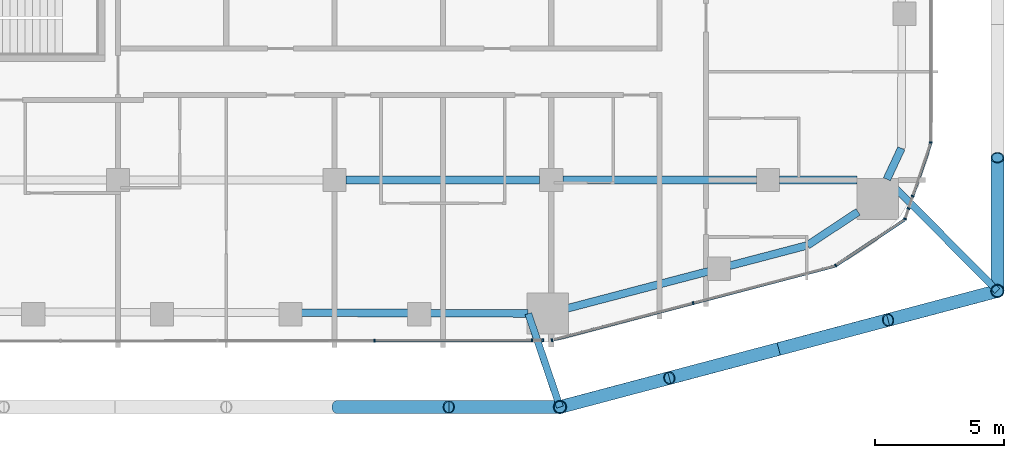
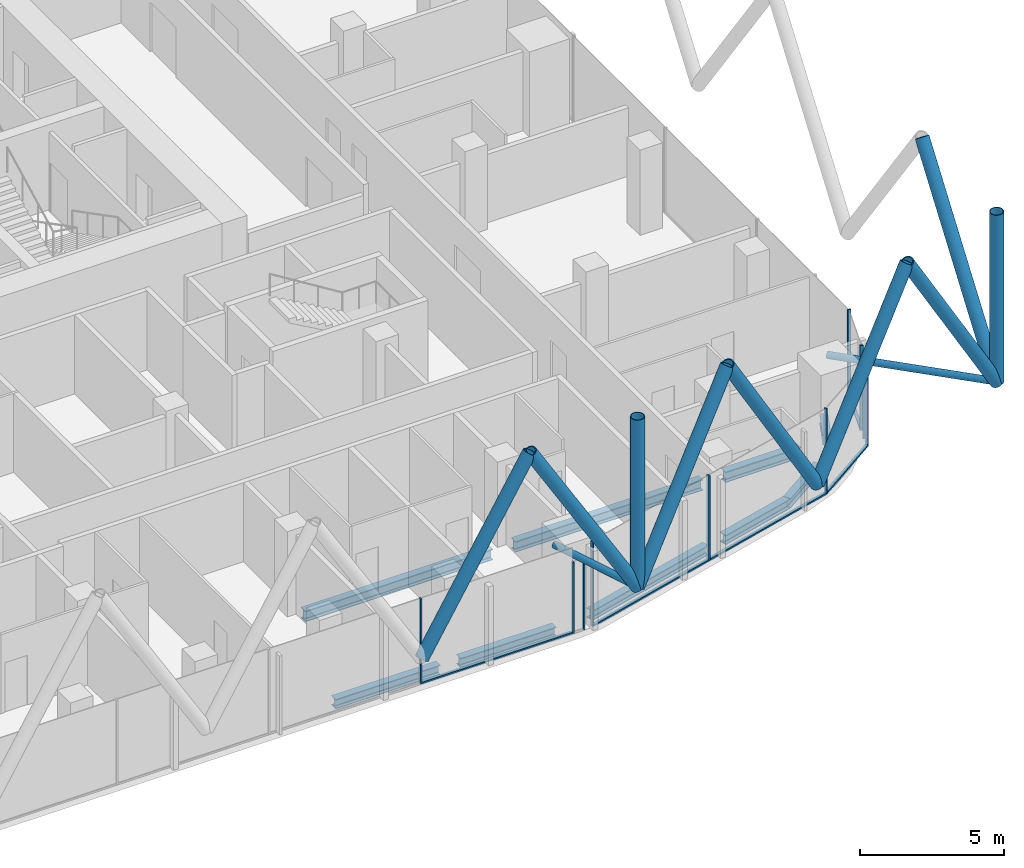
# One storey, part 6 of 33: 26 members, 9 beams, 8 elements without a shape of their own.
"""IFC4 building model written with IfcOpenShell, lengths in metres."""

from ifc_helpers import new_model, si_unit, direction, frame, origin, origin_2d, place, context, subcontext, project, spatial, rectangle, hollow_circle, i_section, extrude, material, layer, layer_set, material_profile, profile_set, type_object, element, aggregate, save


model = new_model("IFC4")

# Units and contexts
model_context = context("Model", 3, precision=1e-05, world=origin(), true_north=direction((0.0, 1.0)))
body_context = subcontext(model_context, "Body", "Model", "MODEL_VIEW")
ifc_project = project(units=[si_unit("LENGTHUNIT", "METRE"), si_unit("AREAUNIT", "SQUARE_METRE"), si_unit("VOLUMEUNIT", "CUBIC_METRE"), si_unit("PLANEANGLEUNIT", "RADIAN"), si_unit("MASSUNIT", "GRAM", prefix="KILO")], contexts=[model_context])

# Site, building, storey
site_placement = place(None, origin())
site = spatial("IfcSite", under=ifc_project, at=site_placement, CompositionType="ELEMENT")
building_placement = place(site_placement, origin())
building = spatial("IfcBuilding", under=site, at=building_placement, Name="Marenta Gate Hotel Tower", CompositionType="ELEMENT")
storey_placement = place(building_placement, frame((0.0, 0.0, 151.699951171875)))
storey = spatial("IfcBuildingStorey", under=building, at=storey_placement, Name="L35", CompositionType="ELEMENT", Elevation=151.699951171875)

# Members
ifc_material_1 = material(Name="Steel S355J2W", Category="steel")
ifc_material_profile_1 = material_profile(ifc_material_1, hollow_circle(Radius=0.25390625, WallThickness=0.02490234375, at=origin_2d()), Name="CHS 508x25")
ifc_profile_set_1 = profile_set([ifc_material_profile_1], Name="Steel S355J2W")
member_type_1 = type_object("IfcMemberType", Name="Diagrid corner post Z2 CHS 508x25", PredefinedType="POST", material=ifc_profile_set_1)
for number, where, z_axis, x_axis, name in (
    (1, (29.89990234375, -21.10009765625, 3.14013671875), (0.0, 0.0, 1.0), (1.0, 0.0, 0.0), "L35-DR-2"),
    (2, (12.93896484375, -25.60009765625, 3.14013671875), (0.0, 0.0, 1.0), (1.0, 0.0, 0.0), "L35-DR-3"),
):
    element("IfcMember", number, at=place(storey_placement, frame(where, z_axis=z_axis, x_axis=x_axis)), inside=storey, type_object=member_type_1, Name=name, PredefinedType="POST", context=body_context, shape_type="SweptSolid", body=[
        extrude(hollow_circle(Radius=0.25390625, WallThickness=0.02490234375, at=origin_2d()), origin(), (0.0, 0.0, 1.0), 7.199951171875),
    ])
ifc_material_2 = material(Name="Steel S355J2W", Category="steel")
ifc_material_profile_2 = material_profile(ifc_material_2, hollow_circle(Radius=0.25390625, WallThickness=0.0400390625, at=origin_2d()), Name="CHS 508x40")
ifc_profile_set_2 = profile_set([ifc_material_profile_2], Name="Steel S355J2W")
member_type_2 = type_object("IfcMemberType", Name="Diagrid diagonal Z2 CHS 508x40", PredefinedType="BRACE", material=ifc_profile_set_2)
member_1_placement = place(storey_placement, frame((29.89990234375, -21.10009765625, 3.14013671875), z_axis=(0.0, 0.583260841117, 0.812284919975), x_axis=(-1.0, 0.0, 0.0)))
element("IfcMember", 3, at=member_1_placement, inside=storey, type_object=member_type_2, Name="L35-DG-10", PredefinedType="BRACE", context=body_context, shape_type="SweptSolid", body=[
    extrude(hollow_circle(Radius=0.25390625, WallThickness=0.0400390625, at=origin_2d()), origin(), (0.0, 0.0, 1.0), 8.86376953125),
])
member_2_placement = place(storey_placement, frame((29.89990234375, -21.10009765625, 3.14013671875), z_axis=(-0.502902385412, -0.133435492139, 0.853981358218), x_axis=(0.256456982503, -0.966555645644, 0.0)))
element("IfcMember", 4, at=member_2_placement, inside=storey, type_object=member_type_2, Name="L35-DG-11", PredefinedType="BRACE", context=body_context, shape_type="SweptSolid", body=[
    extrude(hollow_circle(Radius=0.25390625, WallThickness=0.0400390625, at=origin_2d()), origin(), (0.0, 0.0, 1.0), 8.43115234375),
])
member_3_placement = place(storey_placement, frame((21.41943359375, -23.35009765625, 3.14013671875), z_axis=(0.502945650976, 0.133431605717, 0.853956485285), x_axis=(-0.256429393985, 0.966562965306, 0.0)))
element("IfcMember", 5, at=member_3_placement, inside=storey, type_object=member_type_2, Name="L35-DG-12", PredefinedType="BRACE", context=body_context, shape_type="SweptSolid", body=[
    extrude(hollow_circle(Radius=0.25390625, WallThickness=0.0400390625, at=origin_2d()), origin(), (0.0, 0.0, 1.0), 8.431396484375),
])
for number, where, z_axis, x_axis, name in (
    (6, (21.41943359375, -23.35009765625, 3.14013671875), (-0.502924018666, -0.133433548941, 0.853968921838), (0.256443187528, -0.96655930577, 0.0), "L35-DG-13"),
    (7, (12.93896484375, -25.60009765625, 3.14013671875), (0.502924018666, 0.133433548941, 0.853968921838), (-0.256443187528, 0.96655930577, 0.0), "L35-DG-14"),
):
    element("IfcMember", number, at=place(storey_placement, frame(where, z_axis=z_axis, x_axis=x_axis)), inside=storey, type_object=member_type_2, Name=name, PredefinedType="BRACE", context=body_context, shape_type="SweptSolid", body=[
        extrude(hollow_circle(Radius=0.25390625, WallThickness=0.0400390625, at=origin_2d()), origin(), (0.0, 0.0, 1.0), 8.43115234375),
    ])
for number, where, z_axis, x_axis, name in (
    (8, (12.93896484375, -25.60009765625, 3.14013671875), (-0.513883902774, 0.0, 0.857859740558), (0.0, -1.0, 0.0), "L35-DG-15"),
    (9, (4.31298828125, -25.60009765625, 3.14013671875), (0.513883902774, 0.0, 0.857859740558), (0.0, 1.0, 0.0), "L35-DG-16"),
):
    element("IfcMember", number, at=place(storey_placement, frame(where, z_axis=z_axis, x_axis=x_axis)), inside=storey, type_object=member_type_2, Name=name, PredefinedType="BRACE", context=body_context, shape_type="SweptSolid", body=[
        extrude(hollow_circle(Radius=0.25390625, WallThickness=0.0400390625, at=origin_2d()), origin(), (0.0, 0.0, 1.0), 8.392822265625),
    ])

# Beams
ifc_material_3 = material(Name="Steel S355", Category="steel")
ifc_material_profile_3 = material_profile(ifc_material_3, i_section(OverallWidth=0.300048828125, OverallDepth=0.39990234375, WebThickness=0.013427734375, FlangeThickness=0.02392578125, FilletRadius=0.027099609375, at=origin_2d()), Name="HEB 400")
ifc_profile_set_3 = profile_set([ifc_material_profile_3], Name="Steel S355")
beam_type_1 = type_object("IfcBeamType", Name="Edge beam HEB 400", PredefinedType="SPANDREL", material=ifc_profile_set_3)
beam_1_placement = place(storey_placement, frame((26.175048828125, -15.567138671875, -0.4599609375), z_axis=(-0.423207780269, -0.906032656541, 0.0), x_axis=(0.906032656541, -0.423207780269, 0.0)))
element("IfcBeam", 10, at=beam_1_placement, inside=storey, type_object=beam_type_1, Name="L35-EB-28", PredefinedType="SPANDREL", context=body_context, shape_type="SweptSolid", body=[
    extrude(i_section(OverallWidth=0.300048828125, OverallDepth=0.39990234375, WebThickness=0.013427734375, FlangeThickness=0.02392578125, FilletRadius=0.027099609375, at=origin_2d()), origin(), (0.0, 0.0, 1.0), 1.326904296875),
])
beam_2_placement = place(storey_placement, frame((24.496337890625, -18.0322265625, -0.4599609375), z_axis=(-0.834496060599, -0.551013906217, 0.0), x_axis=(0.551013906217, -0.834496060599, 0.0)))
element("IfcBeam", 11, at=beam_2_placement, inside=storey, type_object=beam_type_1, Name="L35-EB-29", PredefinedType="SPANDREL", context=body_context, shape_type="SweptSolid", body=[
    extrude(i_section(OverallWidth=0.300048828125, OverallDepth=0.39990234375, WebThickness=0.013427734375, FlangeThickness=0.02392578125, FilletRadius=0.027099609375, at=origin_2d()), origin(), (0.0, 0.0, 1.0), 2.357177734375),
])
beam_3_placement = place(storey_placement, frame((22.529296875, -19.3310546875, -0.4599609375), z_axis=(-0.967224706208, -0.25392197168, 0.0), x_axis=(0.25392197168, -0.967224706208, 0.0)))
element("IfcBeam", 12, at=beam_3_placement, inside=storey, type_object=beam_type_1, Name="L35-EB-30", PredefinedType="SPANDREL", context=body_context, shape_type="SweptSolid", body=[
    extrude(i_section(OverallWidth=0.300048828125, OverallDepth=0.39990234375, WebThickness=0.013427734375, FlangeThickness=0.02392578125, FilletRadius=0.027099609375, at=origin_2d()), origin(), (0.0, 0.0, 1.0), 3.11328125),
])
beam_4_placement = place(storey_placement, frame((18.695556640625, -20.33740234375, -0.4599609375), z_axis=(-0.96723321901, -0.253889542999, 0.0), x_axis=(0.253889542999, -0.96723321901, 0.0)))
element("IfcBeam", 13, at=beam_4_placement, inside=storey, type_object=beam_type_1, Name="L35-EB-31", PredefinedType="SPANDREL", context=body_context, shape_type="SweptSolid", body=[
    extrude(i_section(OverallWidth=0.300048828125, OverallDepth=0.39990234375, WebThickness=0.013427734375, FlangeThickness=0.02392578125, FilletRadius=0.027099609375, at=origin_2d()), origin(), (0.0, 0.0, 1.0), 5.6533203125),
])
beam_5_placement = place(storey_placement, frame((11.706298828125, -21.97021484375, -0.4599609375), z_axis=(-0.999994883969, 0.003198755307, 0.0), x_axis=(-0.003198755307, -0.999994883969, 0.0)))
element("IfcBeam", 14, at=beam_5_placement, inside=storey, type_object=beam_type_1, Name="L35-EB-32", PredefinedType="SPANDREL", context=body_context, shape_type="SweptSolid", body=[
    extrude(i_section(OverallWidth=0.300048828125, OverallDepth=0.39990234375, WebThickness=0.013427734375, FlangeThickness=0.02392578125, FilletRadius=0.027099609375, at=origin_2d()), origin(), (0.0, 0.0, 1.0), 3.816162109375),
])
beam_6_placement = place(storey_placement, frame((7.070068359375, -21.955322265625, -0.4599609375), z_axis=(-0.999994807487, 0.003222576575, 0.0), x_axis=(-0.003222576575, -0.999994807487, 0.0)))
element("IfcBeam", 15, at=beam_6_placement, inside=storey, type_object=beam_type_1, Name="L35-EB-33", PredefinedType="SPANDREL", context=body_context, shape_type="SweptSolid", body=[
    extrude(i_section(OverallWidth=0.300048828125, OverallDepth=0.39990234375, WebThickness=0.013427734375, FlangeThickness=0.02392578125, FilletRadius=0.027099609375, at=origin_2d()), origin(), (0.0, 0.0, 1.0), 4.166748046875),
])

# Members
ifc_material_4 = material(Name="Steel S355J2W", Category="steel")
ifc_material_profile_4 = material_profile(ifc_material_4, hollow_circle(Radius=0.136474609375, WallThickness=0.012451171875, at=origin_2d()), Name="CHS 273x12.5")
ifc_profile_set_4 = profile_set([ifc_material_profile_4], Name="Steel S355J2W")
member_type_3 = type_object("IfcMemberType", Name="Floor tie CHS 273x12.5", PredefinedType="STRUT", material=ifc_profile_set_4)
member_4_placement = place(storey_placement, frame((29.89990234375, -21.10009765625, 3.14013671875), z_axis=(-0.703467207322, 0.710727717359, 0.0), x_axis=(-0.710727717359, -0.703467207322, 0.0)))
element("IfcMember", 16, at=member_4_placement, inside=storey, type_object=member_type_3, Name="L35-DR-8", PredefinedType="STRUT", context=body_context, shape_type="SweptSolid", body=[
    extrude(hollow_circle(Radius=0.136474609375, WallThickness=0.012451171875, at=origin_2d()), origin(), (0.0, 0.0, 1.0), 6.086181640625),
])
member_5_placement = place(storey_placement, frame((12.93896484375, -25.60009765625, 3.14013671875), z_axis=(-0.321582426358, 0.94688158872, 0.0), x_axis=(-0.94688158872, -0.321582426358, 0.0)))
element("IfcMember", 17, at=member_5_placement, inside=storey, type_object=member_type_3, Name="L35-DR-9", PredefinedType="STRUT", context=body_context, shape_type="SweptSolid", body=[
    extrude(hollow_circle(Radius=0.136474609375, WallThickness=0.012451171875, at=origin_2d()), origin(), (0.0, 0.0, 1.0), 3.826171875),
])

# Beams
ifc_material_5 = material(Name="Steel S355", Category="steel")
ifc_material_profile_5 = material_profile(ifc_material_5, i_section(OverallWidth=0.300048828125, OverallDepth=0.449951171875, WebThickness=0.013916015625, FlangeThickness=0.02587890625, FilletRadius=0.027099609375, at=origin_2d()), Name="HEB 450")
ifc_profile_set_5 = profile_set([ifc_material_profile_5], Name="Steel S355")
beam_type_2 = type_object("IfcBeamType", Name="Girder HEB 450", PredefinedType="BEAM", material=ifc_profile_set_5)
for number, where, z_axis, x_axis, name in (
    (18, (4.64990234375, -16.800048828125, -0.48486328125), (1.0, 0.0, 0.0), (0.0, 1.0, 0.0), "L35-GD-5"),
    (19, (13.050048828125, -16.800048828125, -0.48486328125), (1.0, 0.0, 0.0), (0.0, 1.0, 0.0), "L35-GD-6"),
):
    element("IfcBeam", number, at=place(storey_placement, frame(where, z_axis=z_axis, x_axis=x_axis)), inside=storey, type_object=beam_type_2, Name=name, PredefinedType="BEAM", context=body_context, shape_type="SweptSolid", body=[
        extrude(i_section(OverallWidth=0.300048828125, OverallDepth=0.449951171875, WebThickness=0.013916015625, FlangeThickness=0.02587890625, FilletRadius=0.027099609375, at=origin_2d()), origin(), (0.0, 0.0, 1.0), 7.5),
    ])
beam_7_placement = place(storey_placement, frame((21.449951171875, -16.800048828125, -0.48486328125), z_axis=(1.0, 0.0, 0.0), x_axis=(0.0, 1.0, 0.0)))
element("IfcBeam", 20, at=beam_7_placement, inside=storey, type_object=beam_type_2, Name="L35-GD-7", PredefinedType="BEAM", context=body_context, shape_type="SweptSolid", body=[
    extrude(i_section(OverallWidth=0.300048828125, OverallDepth=0.449951171875, WebThickness=0.013916015625, FlangeThickness=0.02587890625, FilletRadius=0.027099609375, at=origin_2d()), origin(), (0.0, 0.0, 1.0), 3.012939453125),
])

# Curtain wall, member
ifc_material_6 = material(Name="Tinted insulated glass in bronze anodised frame", Category="glass")
ifc_layer = layer(ifc_material_6, 0.1201171875)
ifc_layer_set = layer_set([ifc_layer], Name="Tinted insulated glass in bronze anodised frame")
curtain_wall_type = type_object("IfcCurtainWallType", Name="Tower unitised curtain wall CW1", PredefinedType="NOTDEFINED", material=ifc_layer_set)
curtain_wall_1_placement = place(storey_placement, origin())
curtain_wall_1 = element("IfcCurtainWall", 21, at=curtain_wall_1_placement, inside=storey, type_object=curtain_wall_type, Name="CW1 run G12", PredefinedType="NOTDEFINED")
ifc_material_7 = material(Name="Bronze anodised aluminium", Category="aluminium")
ifc_material_profile_6 = material_profile(ifc_material_7, rectangle(XDim=0.1201171875, YDim=0.06005859375, at=origin_2d()), Name="Mullion CW1 60x120 bronze anodised aluminium")
ifc_profile_set_6 = profile_set([ifc_material_profile_6], Name="Bronze anodised aluminium")
member_type_4 = type_object("IfcMemberType", Name="Mullion CW1 60x120 bronze anodised aluminium", PredefinedType="MULLION", material=ifc_profile_set_6)
member_6_placement = place(storey_placement, frame((5.73974609375, -23.022705078125, 0.0), z_axis=(0.0, 0.0, 1.0), x_axis=(-0.00136470383, 0.999999068791, 0.0)))
member_6 = element("IfcMember", 22, at=member_6_placement, type_object=member_type_4, Name="CW1 mullion 4", PredefinedType="MULLION", context=body_context, shape_type="SweptSolid", body=[
    extrude(rectangle(XDim=0.1201171875, YDim=0.06005859375, at=origin_2d()), origin(), (0.0, 0.0, 1.0), 3.60009765625),
])

# Curtain wall, members
curtain_wall_2_placement = place(storey_placement, origin())
curtain_wall_2 = element("IfcCurtainWall", 23, at=curtain_wall_2_placement, inside=storey, type_object=curtain_wall_type, Name="CW1 run G13", PredefinedType="NOTDEFINED")
member_7_placement = place(storey_placement, frame((11.851806640625, -23.01416015625, 0.0), z_axis=(0.0, 0.0, 1.0), x_axis=(-0.001254704164, 0.999999212858, 0.0)))
member_7 = element("IfcMember", 24, at=member_7_placement, type_object=member_type_4, Name="CW1 mullion 1", PredefinedType="MULLION", context=body_context, shape_type="SweptSolid", body=[
    extrude(rectangle(XDim=0.1201171875, YDim=0.06005859375, at=origin_2d()), origin(), (0.0, 0.0, 1.0), 3.00048828125),
])
member_8_placement = place(storey_placement, frame((12.27001953125, -23.013671875, 0.0), z_axis=(0.0, 0.0, 1.0), x_axis=(-0.001254704164, 0.999999212858, 0.0)))
member_8 = element("IfcMember", 25, at=member_8_placement, type_object=member_type_4, Name="CW1 mullion 2", PredefinedType="MULLION", context=body_context, shape_type="SweptSolid", body=[
    extrude(rectangle(XDim=0.1201171875, YDim=0.06005859375, at=origin_2d()), origin(), (0.0, 0.0, 1.0), 3.00048828125),
])
aggregate(curtain_wall_2, [member_7, member_8])

curtain_wall_3_placement = place(storey_placement, origin())
curtain_wall_3 = element("IfcCurtainWall", 26, at=curtain_wall_3_placement, inside=storey, type_object=curtain_wall_type, Name="CW1 run G14", PredefinedType="NOTDEFINED")
member_9_placement = place(storey_placement, frame((12.626708984375, -23.005615234375, 0.0), z_axis=(0.0, 0.0, 1.0), x_axis=(-0.253374270473, 0.967368326473, 0.0)))
member_9 = element("IfcMember", 27, at=member_9_placement, type_object=member_type_4, Name="CW1 mullion 1", PredefinedType="MULLION", context=body_context, shape_type="SweptSolid", body=[
    extrude(rectangle(XDim=0.1201171875, YDim=0.06005859375, at=origin_2d()), origin(), (0.0, 0.0, 1.0), 3.60009765625),
])
member_10_placement = place(storey_placement, frame((18.102783203125, -21.571533203125, 0.0), z_axis=(0.0, 0.0, 1.0), x_axis=(-0.253374270473, 0.967368326473, 0.0)))
member_10 = element("IfcMember", 28, at=member_10_placement, type_object=member_type_4, Name="CW1 mullion 2", PredefinedType="MULLION", context=body_context, shape_type="SweptSolid", body=[
    extrude(rectangle(XDim=0.1201171875, YDim=0.06005859375, at=origin_2d()), origin(), (0.0, 0.0, 1.0), 3.60009765625),
])

# Curtain wall, member
curtain_wall_4_placement = place(storey_placement, origin())
curtain_wall_4 = element("IfcCurtainWall", 29, at=curtain_wall_4_placement, inside=storey, type_object=curtain_wall_type, Name="CW1 run G15", PredefinedType="NOTDEFINED")
member_11_placement = place(storey_placement, frame((23.632568359375, -20.113037109375, 0.0), z_axis=(0.0, 0.0, 1.0), x_axis=(-0.554016243423, 0.832505857051, 0.0)))
member_11 = element("IfcMember", 30, at=member_11_placement, type_object=member_type_4, Name="CW1 mullion 1", PredefinedType="MULLION", context=body_context, shape_type="SweptSolid", body=[
    extrude(rectangle(XDim=0.1201171875, YDim=0.06005859375, at=origin_2d()), origin(), (0.0, 0.0, 1.0), 3.60009765625),
])

curtain_wall_5_placement = place(storey_placement, origin())
curtain_wall_5 = element("IfcCurtainWall", 31, at=curtain_wall_5_placement, inside=storey, type_object=curtain_wall_type, Name="CW1 run G16", PredefinedType="NOTDEFINED")
member_12_placement = place(storey_placement, frame((26.314453125, -18.30615234375, 0.0), z_axis=(0.0, 0.0, 1.0), x_axis=(-0.946727185016, 0.322036701561, 0.0)))
member_12 = element("IfcMember", 32, at=member_12_placement, type_object=member_type_4, Name="CW1 mullion 1", PredefinedType="MULLION", context=body_context, shape_type="SweptSolid", body=[
    extrude(rectangle(XDim=0.1201171875, YDim=0.06005859375, at=origin_2d()), origin(), (0.0, 0.0, 1.0), 3.60009765625),
])
aggregate(curtain_wall_5, [member_12])

curtain_wall_6_placement = place(storey_placement, origin())
curtain_wall_6 = element("IfcCurtainWall", 33, at=curtain_wall_6_placement, inside=storey, type_object=curtain_wall_type, Name="CW1 run G17", PredefinedType="NOTDEFINED")
member_13_placement = place(storey_placement, frame((26.452392578125, -17.90087890625, 0.0), z_axis=(0.0, 0.0, 1.0), x_axis=(-0.946729383953, 0.322030237029, 0.0)))
member_13 = element("IfcMember", 34, at=member_13_placement, type_object=member_type_4, Name="CW1 mullion 1", PredefinedType="MULLION", context=body_context, shape_type="SweptSolid", body=[
    extrude(rectangle(XDim=0.1201171875, YDim=0.06005859375, at=origin_2d()), origin(), (0.0, 0.0, 1.0), 3.00048828125),
])
aggregate(curtain_wall_6, [member_13])

curtain_wall_7_placement = place(storey_placement, origin())
curtain_wall_7 = element("IfcCurtainWall", 35, at=curtain_wall_7_placement, inside=storey, type_object=curtain_wall_type, Name="CW1 run G18", PredefinedType="NOTDEFINED")
member_14_placement = place(storey_placement, frame((26.615478515625, -17.421630859375, 0.0), z_axis=(0.0, 0.0, 1.0), x_axis=(-0.946728388751, 0.322033162785, 0.0)))
member_14 = element("IfcMember", 36, at=member_14_placement, type_object=member_type_4, Name="CW1 mullion 1", PredefinedType="MULLION", context=body_context, shape_type="SweptSolid", body=[
    extrude(rectangle(XDim=0.1201171875, YDim=0.06005859375, at=origin_2d()), origin(), (0.0, 0.0, 1.0), 3.60009765625),
])

curtain_wall_8_placement = place(storey_placement, origin())
curtain_wall_8 = element("IfcCurtainWall", 37, at=curtain_wall_8_placement, inside=storey, type_object=curtain_wall_type, Name="CW1 run G19", PredefinedType="NOTDEFINED")
member_15_placement = place(storey_placement, frame((27.31396484375, -15.337890625, 0.0), z_axis=(0.0, 0.0, 1.0), x_axis=(-1.0, 0.0, 0.0)))
member_15 = element("IfcMember", 38, at=member_15_placement, type_object=member_type_4, Name="CW1 mullion 1", PredefinedType="MULLION", context=body_context, shape_type="SweptSolid", body=[
    extrude(rectangle(XDim=0.1201171875, YDim=0.06005859375, at=origin_2d()), origin(), (0.0, 0.0, 1.0), 3.60009765625),
])
aggregate(curtain_wall_8, [member_15])

# Member
ifc_material_8 = material(Name="Bronze anodised aluminium", Category="aluminium")
ifc_material_profile_7 = material_profile(ifc_material_8, rectangle(XDim=0.1201171875, YDim=0.06005859375, at=origin_2d()), Name="Transom CW1 60x120 bronze anodised aluminium")
ifc_profile_set_7 = profile_set([ifc_material_profile_7], Name="Bronze anodised aluminium")
member_type_5 = type_object("IfcMemberType", Name="Transom CW1 60x120 bronze anodised aluminium", PredefinedType="USERDEFINED", material=ifc_profile_set_7)
member_16_placement = place(storey_placement, frame((5.769775390625, -23.0224609375, 0.030029296875), z_axis=(0.999999113907, 0.001331234449, 0.0), x_axis=(-0.001331234449, 0.999999113907, 0.0)))
member_16 = element("IfcMember", 39, at=member_16_placement, type_object=member_type_5, Name="CW1 transom 4.1", ObjectType="TRANSOM", PredefinedType="USERDEFINED", context=body_context, shape_type="SweptSolid", body=[
    extrude(rectangle(XDim=0.1201171875, YDim=0.06005859375, at=origin_2d()), origin(), (0.0, 0.0, 1.0), 6.052001953125),
])

aggregate(curtain_wall_1, [member_6, member_16])

member_17_placement = place(storey_placement, frame((12.65576171875, -22.998046875, 0.030029296875), z_axis=(0.967374258372, 0.25335162174, 0.0), x_axis=(-0.25335162174, 0.967374258372, 0.0)))
member_17 = element("IfcMember", 40, at=member_17_placement, type_object=member_type_5, Name="CW1 transom 1.1", ObjectType="TRANSOM", PredefinedType="USERDEFINED", context=body_context, shape_type="SweptSolid", body=[
    extrude(rectangle(XDim=0.1201171875, YDim=0.06005859375, at=origin_2d()), origin(), (0.0, 0.0, 1.0), 5.6005859375),
])

member_18_placement = place(storey_placement, frame((18.1318359375, -21.56396484375, 0.030029296875), z_axis=(0.967364420611, 0.253389182357, 0.0), x_axis=(-0.253389182357, 0.967364420611, 0.0)))
member_18 = element("IfcMember", 41, at=member_18_placement, type_object=member_type_5, Name="CW1 transom 2.1", ObjectType="TRANSOM", PredefinedType="USERDEFINED", context=body_context, shape_type="SweptSolid", body=[
    extrude(rectangle(XDim=0.1201171875, YDim=0.06005859375, at=origin_2d()), origin(), (0.0, 0.0, 1.0), 5.66064453125),
])

aggregate(curtain_wall_3, [member_9, member_10, member_17, member_18])

member_19_placement = place(storey_placement, frame((23.657470703125, -20.096435546875, 0.030029296875), z_axis=(0.832522439521, 0.553991324565, 0.0), x_axis=(-0.553991324565, 0.832522439521, 0.0)))
member_19 = element("IfcMember", 42, at=member_19_placement, type_object=member_type_5, Name="CW1 transom 1.1", ObjectType="TRANSOM", PredefinedType="USERDEFINED", context=body_context, shape_type="SweptSolid", body=[
    extrude(rectangle(XDim=0.1201171875, YDim=0.06005859375, at=origin_2d()), origin(), (0.0, 0.0, 1.0), 3.179931640625),
])

aggregate(curtain_wall_4, [member_11, member_19])

member_20_placement = place(storey_placement, frame((26.625, -17.393310546875, 0.030029296875), z_axis=(0.322041848526, 0.94672543422, 0.0), x_axis=(-0.94672543422, 0.322041848526, 0.0)))
member_20 = element("IfcMember", 43, at=member_20_placement, type_object=member_type_5, Name="CW1 transom 1.1", ObjectType="TRANSOM", PredefinedType="USERDEFINED", context=body_context, shape_type="SweptSolid", body=[
    extrude(rectangle(XDim=0.1201171875, YDim=0.06005859375, at=origin_2d()), origin(), (0.0, 0.0, 1.0), 2.139404296875),
])

aggregate(curtain_wall_7, [member_14, member_20])

save(model, "model.ifc")
